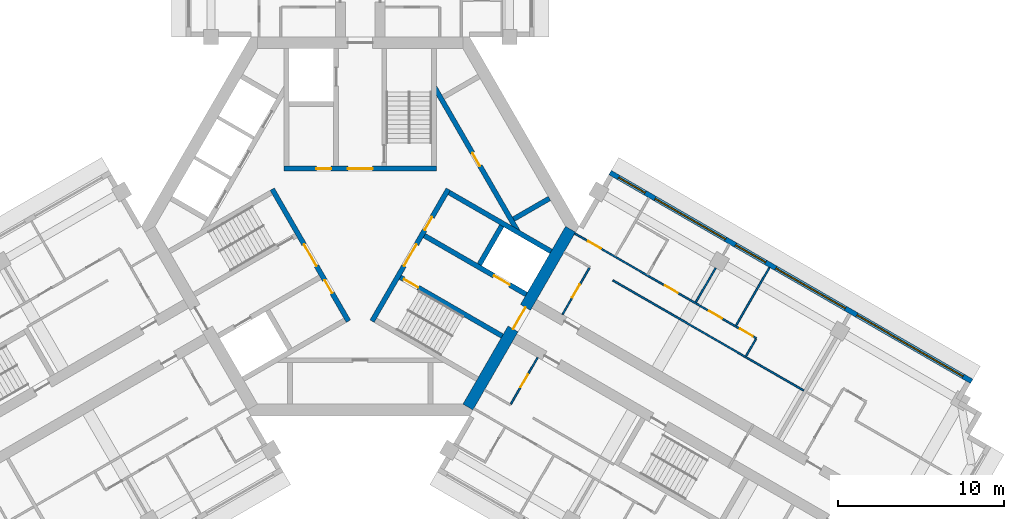
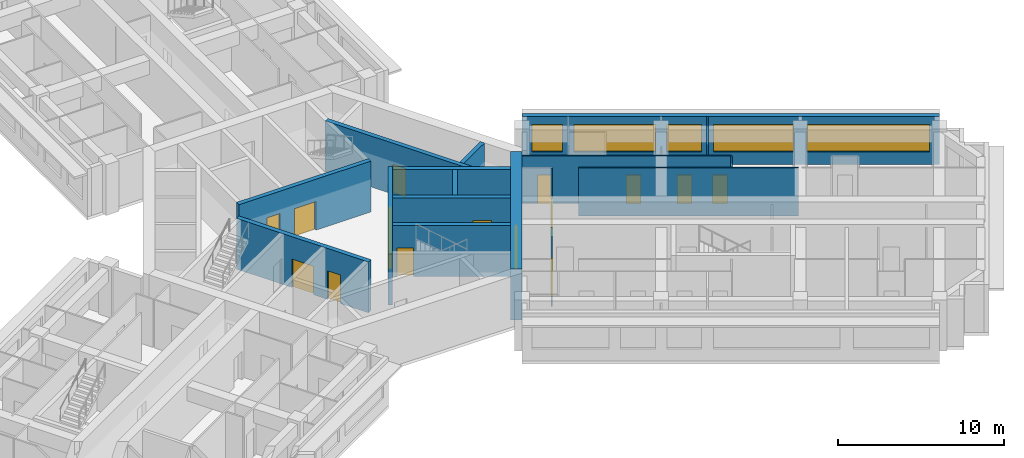
# One storey, part 6 of 11: 18 walls, 16 doors, 5 windows, 21 openings.
"""IFC4 building model written with IfcOpenShell, lengths in metres."""

from ifc_helpers import new_model, si_unit, direction, frame, frame_2d, origin, place, context, subcontext, project, spatial, rectangle, extrude, material, layer, layer_set, type_object, element, fill, save


model = new_model("IFC4")

# Units and contexts
model_context = context("Model", 3, precision=1e-05, world=origin(), true_north=direction((0.0, 1.0)))
body_context = subcontext(model_context, "Body", "Model", "MODEL_VIEW")
ifc_project = project(units=[si_unit("LENGTHUNIT", "METRE"), si_unit("AREAUNIT", "SQUARE_METRE"), si_unit("VOLUMEUNIT", "CUBIC_METRE"), si_unit("PLANEANGLEUNIT", "RADIAN"), si_unit("MASSUNIT", "GRAM", prefix="KILO")], contexts=[model_context])

# Site, building, storey
site_placement = place(None, origin())
site = spatial("IfcSite", under=ifc_project, at=site_placement, CompositionType="ELEMENT")
building_placement = place(site_placement, origin())
building = spatial("IfcBuilding", under=site, at=building_placement, Name="Impinga Residences", CompositionType="ELEMENT")
storey_placement = place(building_placement, frame((0.0, 0.0, 199.75)))
storey = spatial("IfcBuildingStorey", under=building, at=storey_placement, Name="L49", CompositionType="ELEMENT", Elevation=199.75)

# Wall, openings, windows
ifc_material_1 = material(Name="Terracotta rainscreen on blockwork", Category="masonry")
ifc_layer_1 = layer(ifc_material_1, 0.300048828125)
ifc_layer_set_1 = layer_set([ifc_layer_1], Name="EW1 external wall, terracotta rainscreen on blockwork 300")
wall_type_1 = type_object("IfcWallType", Name="EW1 external wall, terracotta rainscreen on blockwork 300", PredefinedType="SOLIDWALL", material=ifc_layer_set_1)
wall_1_placement = place(storey_placement, frame((15.074951171875, 3.24755859375, 0.0), z_axis=(0.0, 0.0, 1.0), x_axis=(0.86602925447, -0.499993330357, 0.0)))
wall_1 = element("IfcWall", 1, at=wall_1_placement, inside=storey, type_object=wall_type_1, Name="External wall EW1 L49", PredefinedType="SOLIDWALL", context=body_context, shape_type="SweptSolid", body=[
    extrude(rectangle(XDim=25.199951171875, YDim=0.300048828125, at=frame_2d((12.60009765625, 0.0))), origin(), (0.0, 0.0, 1.0), 3.530029296875),
])
opening_1_placement = place(wall_1_placement, frame((0.60009765625, 0.0, 0.89990234375)))
opening_1 = element("IfcOpeningElement", 2, at=opening_1_placement, cuts=wall_1, Name="Opening W15", PredefinedType="OPENING", context=body_context, shape_type="SweptSolid", body=[
    extrude(rectangle(XDim=1.85009765625, YDim=2.050048828125, at=frame_2d((0.925048828125, 1.02490234375))), frame((0.0, 0.159912109375, 0.0), z_axis=(0.0, -1.0, 0.0), x_axis=(1.0, 0.0, 0.0)), (0.0, 0.0, 1.0), 0.320068359375),
])
opening_2_placement = place(wall_1_placement, frame((3.14990234375, 0.0, 0.89990234375)))
opening_2 = element("IfcOpeningElement", 3, at=opening_2_placement, cuts=wall_1, Name="Opening W16", PredefinedType="OPENING", context=body_context, shape_type="SweptSolid", body=[
    extrude(rectangle(XDim=4.89990234375, YDim=2.050048828125, at=frame_2d((2.449951171875, 1.02490234375))), frame((0.0, 0.159912109375, 0.0), z_axis=(0.0, -1.0, 0.0), x_axis=(1.0, 0.0, 0.0)), (0.0, 0.0, 1.0), 0.320068359375),
])
opening_3_placement = place(wall_1_placement, frame((8.75, 0.0, 0.89990234375)))
opening_3 = element("IfcOpeningElement", 4, at=opening_3_placement, cuts=wall_1, Name="Opening W9", PredefinedType="OPENING", context=body_context, shape_type="SweptSolid", body=[
    extrude(rectangle(XDim=2.10009765625, YDim=2.050048828125, at=frame_2d((1.050048828125, 1.02490234375))), frame((0.0, 0.159912109375, 0.0), z_axis=(0.0, -1.0, 0.0), x_axis=(1.0, 0.0, 0.0)), (0.0, 0.0, 1.0), 0.320068359375),
])
opening_4_placement = place(wall_1_placement, frame((11.550048828125, 0.0, 0.89990234375)))
opening_4 = element("IfcOpeningElement", 5, at=opening_4_placement, cuts=wall_1, Name="Opening W6", PredefinedType="OPENING", context=body_context, shape_type="SweptSolid", body=[
    extrude(rectangle(XDim=4.85009765625, YDim=2.050048828125, at=frame_2d((2.425048828125, 1.02490234375))), frame((0.0, 0.159912109375, 0.0), z_axis=(0.0, -1.0, 0.0), x_axis=(1.0, 0.0, 0.0)), (0.0, 0.0, 1.0), 0.320068359375),
])
opening_5_placement = place(wall_1_placement, frame((17.199951171875, 0.0, 0.89990234375)))
opening_5 = element("IfcOpeningElement", 6, at=opening_5_placement, cuts=wall_1, Name="Opening W12", PredefinedType="OPENING", context=body_context, shape_type="SweptSolid", body=[
    extrude(rectangle(XDim=7.39990234375, YDim=2.050048828125, at=frame_2d((3.699951171875, 1.02490234375))), frame((0.0, 0.159912109375, 0.0), z_axis=(0.0, -1.0, 0.0), x_axis=(1.0, 0.0, 0.0)), (0.0, 0.0, 1.0), 0.320068359375),
])
ifc_material_2 = material(Name="Aluminium window, clear double glazing", Category="aluminium")
window_type_1 = type_object("IfcWindowType", Name="W12 ribbon window 7400x2050", PartitioningType="SINGLE_PANEL", PredefinedType="WINDOW", material=ifc_material_2)
window_1_placement = place(opening_5_placement, origin())
window_1 = element("IfcWindow", 7, at=window_1_placement, inside=storey, type_object=window_type_1, Name="Window L49", OverallHeight=2.050048828125, OverallWidth=7.39990234375, PartitioningType="SINGLE_PANEL", PredefinedType="WINDOW", context=body_context, shape_type="SweptSolid", body=[
    extrude(rectangle(XDim=7.39990234375, YDim=2.050048828125, at=frame_2d((3.699951171875, 1.02490234375))), frame((0.0, 0.030029296875, 0.0), z_axis=(0.0, -1.0, 0.0), x_axis=(1.0, 0.0, 0.0)), (0.0, 0.0, 1.0), 0.06005859375),
])
fill(opening_5, window_1)
window_type_2 = type_object("IfcWindowType", Name="W15 ribbon window 1850x2050", PartitioningType="SINGLE_PANEL", PredefinedType="WINDOW", material=ifc_material_2)
window_2_placement = place(opening_1_placement, origin())
window_2 = element("IfcWindow", 8, at=window_2_placement, inside=storey, type_object=window_type_2, Name="Window L49", OverallHeight=2.050048828125, OverallWidth=1.85009765625, PartitioningType="SINGLE_PANEL", PredefinedType="WINDOW", context=body_context, shape_type="SweptSolid", body=[
    extrude(rectangle(XDim=1.85009765625, YDim=2.050048828125, at=frame_2d((0.925048828125, 1.02490234375))), frame((0.0, 0.030029296875, 0.0), z_axis=(0.0, -1.0, 0.0), x_axis=(1.0, 0.0, 0.0)), (0.0, 0.0, 1.0), 0.06005859375),
])
fill(opening_1, window_2)
window_type_3 = type_object("IfcWindowType", Name="W16 ribbon window 4900x2050", PartitioningType="SINGLE_PANEL", PredefinedType="WINDOW", material=ifc_material_2)
window_3_placement = place(opening_2_placement, origin())
window_3 = element("IfcWindow", 9, at=window_3_placement, inside=storey, type_object=window_type_3, Name="Window L49", OverallHeight=2.050048828125, OverallWidth=4.89990234375, PartitioningType="SINGLE_PANEL", PredefinedType="WINDOW", context=body_context, shape_type="SweptSolid", body=[
    extrude(rectangle(XDim=4.89990234375, YDim=2.050048828125, at=frame_2d((2.449951171875, 1.02490234375))), frame((0.0, 0.030029296875, 0.0), z_axis=(0.0, -1.0, 0.0), x_axis=(1.0, 0.0, 0.0)), (0.0, 0.0, 1.0), 0.06005859375),
])
fill(opening_2, window_3)
window_type_4 = type_object("IfcWindowType", Name="W6 ribbon window 4850x2050", PartitioningType="SINGLE_PANEL", PredefinedType="WINDOW", material=ifc_material_2)
window_4_placement = place(opening_4_placement, origin())
window_4 = element("IfcWindow", 10, at=window_4_placement, inside=storey, type_object=window_type_4, Name="Window L49", OverallHeight=2.050048828125, OverallWidth=4.85009765625, PartitioningType="SINGLE_PANEL", PredefinedType="WINDOW", context=body_context, shape_type="SweptSolid", body=[
    extrude(rectangle(XDim=4.85009765625, YDim=2.050048828125, at=frame_2d((2.425048828125, 1.02490234375))), frame((0.0, 0.030029296875, 0.0), z_axis=(0.0, -1.0, 0.0), x_axis=(1.0, 0.0, 0.0)), (0.0, 0.0, 1.0), 0.06005859375),
])
fill(opening_4, window_4)
window_type_5 = type_object("IfcWindowType", Name="W9 ribbon window 2100x2050", PartitioningType="SINGLE_PANEL", PredefinedType="WINDOW", material=ifc_material_2)
window_5_placement = place(opening_3_placement, origin())
window_5 = element("IfcWindow", 11, at=window_5_placement, inside=storey, type_object=window_type_5, Name="Window L49", OverallHeight=2.050048828125, OverallWidth=2.10009765625, PartitioningType="SINGLE_PANEL", PredefinedType="WINDOW", context=body_context, shape_type="SweptSolid", body=[
    extrude(rectangle(XDim=2.10009765625, YDim=2.050048828125, at=frame_2d((1.050048828125, 1.02490234375))), frame((0.0, 0.030029296875, 0.0), z_axis=(0.0, -1.0, 0.0), x_axis=(1.0, 0.0, 0.0)), (0.0, 0.0, 1.0), 0.06005859375),
])
fill(opening_3, window_5)

# Wall
ifc_material_3 = material(Name="Gypsum board on steel studs", Category="steel")
ifc_layer_2 = layer(ifc_material_3, 0.10009765625)
ifc_layer_set_2 = layer_set([ifc_layer_2], Name="Gypsum board on steel studs")
wall_type_2 = type_object("IfcWallType", Name="IP1 partition 100", PredefinedType="PARTITIONING", material=ifc_layer_set_2)
wall_2_placement = place(storey_placement, frame((15.244384765625, -3.2587890625, 0.0), z_axis=(0.0, 0.0, 1.0), x_axis=(0.866023880463, -0.500002638461, 0.0)))
element("IfcWall", 12, at=wall_2_placement, inside=storey, type_object=wall_type_2, Name="Partition L49-EA1:DIV1", PredefinedType="PARTITIONING", context=body_context, shape_type="SweptSolid", body=[
    extrude(rectangle(XDim=13.30029296875, YDim=0.10009765625, at=frame_2d((6.650146484375, 0.0))), origin(), (0.0, 0.0, 1.0), 3.530029296875),
])

# Wall, openings, doors
wall_3_placement = place(storey_placement, frame((12.949951171875, -0.43310546875, 0.0), z_axis=(0.0, 0.0, 1.0), x_axis=(0.866029069366, -0.499993650972, 0.0)))
wall_3 = element("IfcWall", 13, at=wall_3_placement, inside=storey, type_object=wall_type_2, Name="Partition L49-EA1:STRIP", PredefinedType="PARTITIONING", context=body_context, shape_type="SweptSolid", body=[
    extrude(rectangle(XDim=12.650146484375, YDim=0.10009765625, at=frame_2d((6.3251953125, 0.0))), origin(), (0.0, 0.0, 1.0), 3.530029296875),
])
opening_6_placement = place(wall_3_placement, frame((0.925048828125, 0.0, 0.0)))
opening_6 = element("IfcOpeningElement", 14, at=opening_6_placement, cuts=wall_3, Name="Opening D2", PredefinedType="OPENING", context=body_context, shape_type="SweptSolid", body=[
    extrude(rectangle(XDim=0.89990234375, YDim=2.10009765625, at=frame_2d((0.449951171875, 1.050048828125))), frame((0.0, 0.06005859375, 0.0), z_axis=(0.0, -1.0, 0.0), x_axis=(1.0, 0.0, 0.0)), (0.0, 0.0, 1.0), 0.1201171875),
])
opening_7_placement = place(wall_3_placement, frame((6.27490234375, 0.0, 0.0)))
opening_7 = element("IfcOpeningElement", 15, at=opening_7_placement, cuts=wall_3, Name="Opening D2", PredefinedType="OPENING", context=body_context, shape_type="SweptSolid", body=[
    extrude(rectangle(XDim=0.89990234375, YDim=2.10009765625, at=frame_2d((0.449951171875, 1.050048828125))), frame((0.0, 0.06005859375, 0.0), z_axis=(0.0, -1.0, 0.0), x_axis=(1.0, 0.0, 0.0)), (0.0, 0.0, 1.0), 0.1201171875),
])
opening_8_placement = place(wall_3_placement, frame((9.35009765625, 0.0, 0.0)))
opening_8 = element("IfcOpeningElement", 16, at=opening_8_placement, cuts=wall_3, Name="Opening D2", PredefinedType="OPENING", context=body_context, shape_type="SweptSolid", body=[
    extrude(rectangle(XDim=0.89990234375, YDim=2.10009765625, at=frame_2d((0.449951171875, 1.050048828125))), frame((0.0, 0.06005859375, 0.0), z_axis=(0.0, -1.0, 0.0), x_axis=(1.0, 0.0, 0.0)), (0.0, 0.0, 1.0), 0.1201171875),
])
opening_9_placement = place(wall_3_placement, frame((11.5, 0.0, 0.0)))
opening_9 = element("IfcOpeningElement", 17, at=opening_9_placement, cuts=wall_3, Name="Opening D2", PredefinedType="OPENING", context=body_context, shape_type="SweptSolid", body=[
    extrude(rectangle(XDim=0.89990234375, YDim=2.10009765625, at=frame_2d((0.449951171875, 1.050048828125))), frame((0.0, 0.06005859375, 0.0), z_axis=(0.0, -1.0, 0.0), x_axis=(1.0, 0.0, 0.0)), (0.0, 0.0, 1.0), 0.1201171875),
])
ifc_material_4 = material(Name="Timber door set", Category="wood")
door_type_1 = type_object("IfcDoorType", Name="D2 internal door 900x2100", OperationType="SINGLE_SWING_LEFT", PredefinedType="DOOR", material=ifc_material_4)
door_1_placement = place(opening_6_placement, origin())
door_1 = element("IfcDoor", 18, at=door_1_placement, inside=storey, type_object=door_type_1, Name="Apartment L49-EA1 room door", OperationType="SINGLE_SWING_LEFT", OverallHeight=2.10009765625, OverallWidth=0.89990234375, PredefinedType="DOOR", context=body_context, shape_type="SweptSolid", body=[
    extrude(rectangle(XDim=0.89990234375, YDim=2.10009765625, at=frame_2d((0.449951171875, 1.050048828125))), frame((0.0, 0.02490234375, 0.0), z_axis=(0.0, -1.0, 0.0), x_axis=(1.0, 0.0, 0.0)), (0.0, 0.0, 1.0), 0.050048828125),
])
fill(opening_6, door_1)
door_2_placement = place(opening_7_placement, origin())
door_2 = element("IfcDoor", 19, at=door_2_placement, inside=storey, type_object=door_type_1, Name="Apartment L49-EA1 room door", OperationType="SINGLE_SWING_RIGHT", OverallHeight=2.10009765625, OverallWidth=0.89990234375, PredefinedType="DOOR", context=body_context, shape_type="SweptSolid", body=[
    extrude(rectangle(XDim=0.89990234375, YDim=2.10009765625, at=frame_2d((0.449951171875, 1.050048828125))), frame((0.0, 0.02490234375, 0.0), z_axis=(0.0, -1.0, 0.0), x_axis=(1.0, 0.0, 0.0)), (0.0, 0.0, 1.0), 0.050048828125),
])
fill(opening_7, door_2)
door_3_placement = place(opening_8_placement, origin())
door_3 = element("IfcDoor", 20, at=door_3_placement, inside=storey, type_object=door_type_1, Name="Apartment L49-EA1 room door", OperationType="SINGLE_SWING_RIGHT", OverallHeight=2.10009765625, OverallWidth=0.89990234375, PredefinedType="DOOR", context=body_context, shape_type="SweptSolid", body=[
    extrude(rectangle(XDim=0.89990234375, YDim=2.10009765625, at=frame_2d((0.449951171875, 1.050048828125))), frame((0.0, 0.02490234375, 0.0), z_axis=(0.0, -1.0, 0.0), x_axis=(1.0, 0.0, 0.0)), (0.0, 0.0, 1.0), 0.050048828125),
])
fill(opening_8, door_3)
door_4_placement = place(opening_9_placement, origin())
door_4 = element("IfcDoor", 21, at=door_4_placement, inside=storey, type_object=door_type_1, Name="Apartment L49-EA1 room door", OperationType="SINGLE_SWING_RIGHT", OverallHeight=2.10009765625, OverallWidth=0.89990234375, PredefinedType="DOOR", context=body_context, shape_type="SweptSolid", body=[
    extrude(rectangle(XDim=0.89990234375, YDim=2.10009765625, at=frame_2d((0.449951171875, 1.050048828125))), frame((0.0, 0.02490234375, 0.0), z_axis=(0.0, -1.0, 0.0), x_axis=(1.0, 0.0, 0.0)), (0.0, 0.0, 1.0), 0.050048828125),
])
fill(opening_9, door_4)

# Wall
wall_4_placement = place(storey_placement, frame((23.2802734375, -7.840576171875, 0.0), z_axis=(0.0, 0.0, 1.0), x_axis=(0.499880961361, 0.866094119867, 0.0)))
element("IfcWall", 22, at=wall_4_placement, inside=storey, type_object=wall_type_2, Name="Partition L49-EA1:SE1", PredefinedType="PARTITIONING", context=body_context, shape_type="SweptSolid", body=[
    extrude(rectangle(XDim=1.199951171875, YDim=0.10009765625, at=frame_2d((0.60009765625, 0.0))), origin(), (0.0, 0.0, 1.0), 3.530029296875),
])

# Wall, opening, door
wall_5_placement = place(storey_placement, frame((12.208740234375, -5.316650390625, 0.0), z_axis=(0.0, 0.0, 1.0), x_axis=(0.500017246033, 0.866015446554, 0.0)))
wall_5 = element("IfcWall", 23, at=wall_5_placement, inside=storey, type_object=wall_type_2, Name="Partition L49-EA1:IB1", PredefinedType="PARTITIONING", context=body_context, shape_type="SweptSolid", body=[
    extrude(rectangle(XDim=3.25, YDim=0.10009765625, at=frame_2d((1.625, 0.0))), origin(), (0.0, 0.0, 1.0), 3.530029296875),
])
opening_10_placement = place(wall_5_placement, frame((1.175048828125, 0.0, 0.0)))
opening_10 = element("IfcOpeningElement", 24, at=opening_10_placement, cuts=wall_5, Name="Opening D2", PredefinedType="OPENING", context=body_context, shape_type="SweptSolid", body=[
    extrude(rectangle(XDim=0.89990234375, YDim=2.10009765625, at=frame_2d((0.449951171875, 1.050048828125))), frame((0.0, 0.06005859375, 0.0), z_axis=(0.0, -1.0, 0.0), x_axis=(1.0, 0.0, 0.0)), (0.0, 0.0, 1.0), 0.1201171875),
])
door_5_placement = place(opening_10_placement, origin())
door_5 = element("IfcDoor", 25, at=door_5_placement, inside=storey, type_object=door_type_1, Name="Apartment L49-EA1 bathroom door", OperationType="SINGLE_SWING_LEFT", OverallHeight=2.10009765625, OverallWidth=0.89990234375, PredefinedType="DOOR", context=body_context, shape_type="SweptSolid", body=[
    extrude(rectangle(XDim=0.89990234375, YDim=2.10009765625, at=frame_2d((0.449951171875, 1.050048828125))), frame((0.0, 0.02490234375, 0.0), z_axis=(0.0, -1.0, 0.0), x_axis=(1.0, 0.0, 0.0)), (0.0, 0.0, 1.0), 0.050048828125),
])
fill(opening_10, door_5)

# Walls
wall_6_placement = place(storey_placement, frame((20.24951171875, -4.589599609375, 0.0), z_axis=(0.0, 0.0, 1.0), x_axis=(0.500077600433, 0.865980596518, 0.0)))
element("IfcWall", 26, at=wall_6_placement, inside=storey, type_object=wall_type_2, Name="Partition L49-EA1:OB2", PredefinedType="PARTITIONING", context=body_context, shape_type="SweptSolid", body=[
    extrude(rectangle(XDim=2.39990234375, YDim=0.10009765625, at=frame_2d((1.199951171875, 0.0))), origin(), (0.0, 0.0, 1.0), 2.47998046875),
])
wall_7_placement = place(storey_placement, frame((22.674560546875, -5.98974609375, 0.0), z_axis=(0.0, 0.0, 1.0), x_axis=(0.499990325971, 0.866030989016, 0.0)))
element("IfcWall", 27, at=wall_7_placement, inside=storey, type_object=wall_type_2, Name="Partition L49-EA1:OB3", PredefinedType="PARTITIONING", context=body_context, shape_type="SweptSolid", body=[
    extrude(rectangle(XDim=4.0498046875, YDim=0.10009765625, at=frame_2d((2.02490234375, 0.0))), origin(), (0.0, 0.0, 1.0), 3.530029296875),
])

# Wall, opening, door
wall_8_placement = place(storey_placement, frame((10.708740234375, -7.914794921875, 0.0), z_axis=(0.0, 0.0, 1.0), x_axis=(-0.499984717929, -0.866034226713, 0.0)))
wall_8 = element("IfcWall", 28, at=wall_8_placement, inside=storey, type_object=wall_type_2, Name="Partition L49-EF1:IB1", PredefinedType="PARTITIONING", context=body_context, shape_type="SweptSolid", body=[
    extrude(rectangle(XDim=3.25, YDim=0.10009765625, at=frame_2d((1.625, 0.0))), origin(), (0.0, 0.0, 1.0), 3.530029296875),
])
opening_11_placement = place(wall_8_placement, frame((1.175048828125, 0.0, 0.0)))
opening_11 = element("IfcOpeningElement", 29, at=opening_11_placement, cuts=wall_8, Name="Opening D2", PredefinedType="OPENING", context=body_context, shape_type="SweptSolid", body=[
    extrude(rectangle(XDim=0.89990234375, YDim=2.10009765625, at=frame_2d((0.449951171875, 1.050048828125))), frame((0.0, 0.06005859375, 0.0), z_axis=(0.0, -1.0, 0.0), x_axis=(1.0, 0.0, 0.0)), (0.0, 0.0, 1.0), 0.1201171875),
])
door_6_placement = place(opening_11_placement, origin())
door_6 = element("IfcDoor", 30, at=door_6_placement, inside=storey, type_object=door_type_1, Name="Apartment L49-EF1 bathroom door", OperationType="SINGLE_SWING_LEFT", OverallHeight=2.10009765625, OverallWidth=0.89990234375, PredefinedType="DOOR", context=body_context, shape_type="SweptSolid", body=[
    extrude(rectangle(XDim=0.89990234375, YDim=2.10009765625, at=frame_2d((0.449951171875, 1.050048828125))), frame((0.0, 0.02490234375, 0.0), z_axis=(0.0, -1.0, 0.0), x_axis=(1.0, 0.0, 0.0)), (0.0, 0.0, 1.0), 0.050048828125),
])
fill(opening_11, door_6)

ifc_material_5 = material(Name="Concrete C60/75", Category="concrete")
ifc_layer_3 = layer(ifc_material_5, 0.699951171875)
ifc_layer_set_3 = layer_set([ifc_layer_3], Name="Concrete C60/75")
wall_type_3 = type_object("IfcWallType", Name="SW3 core wall 700", PredefinedType="SHEAR", material=ifc_layer_set_3)
wall_9_placement = place(storey_placement, frame((12.69482421875, -0.175048828125, 0.0), z_axis=(0.0, 0.0, 1.0), x_axis=(-0.499999875397, -0.866025475724, 0.0)))
wall_9 = element("IfcWall", 31, at=wall_9_placement, inside=storey, type_object=wall_type_3, Name="Core wall SW3 E:FACE L49", PredefinedType="SHEAR", context=body_context, shape_type="SweptSolid", body=[
    extrude(rectangle(XDim=12.3916015625, YDim=0.699951171875, at=frame_2d((6.19580078125, 0.0))), origin(), (0.0, 0.0, 1.0), 3.75),
])
opening_12_placement = place(wall_9_placement, frame((5.44580078125, 0.0, 0.0)))
opening_12 = element("IfcOpeningElement", 32, at=opening_12_placement, cuts=wall_9, Name="Opening D4", PredefinedType="OPENING", context=body_context, shape_type="SweptSolid", body=[
    extrude(rectangle(XDim=1.5, YDim=2.10009765625, at=frame_2d((0.75, 1.050048828125))), frame((0.0, 0.35986328125, 0.0), z_axis=(0.0, -1.0, 0.0), x_axis=(1.0, 0.0, 0.0)), (0.0, 0.0, 1.0), 0.719970703125),
])
door_type_2 = type_object("IfcDoorType", Name="D4 lobby door pair 1500x2100", OperationType="DOUBLE_DOOR_DOUBLE_SWING", PredefinedType="DOOR", material=ifc_material_4)
door_7_placement = place(opening_12_placement, origin())
door_7 = element("IfcDoor", 33, at=door_7_placement, inside=storey, type_object=door_type_2, Name="Lobby door E", OperationType="DOUBLE_DOOR_DOUBLE_SWING", OverallHeight=2.10009765625, OverallWidth=1.5, PredefinedType="DOOR", context=body_context, shape_type="SweptSolid", body=[
    extrude(rectangle(XDim=1.5, YDim=2.10009765625, at=frame_2d((0.75, 1.050048828125))), frame((0.0, 0.02490234375, 0.0), z_axis=(0.0, -1.0, 0.0), x_axis=(1.0, 0.0, 0.0)), (0.0, 0.0, 1.0), 0.050048828125),
])
fill(opening_12, door_7)

# Wall, openings, doors
ifc_material_6 = material(Name="Concrete C70/85", Category="concrete")
ifc_layer_4 = layer(ifc_material_6, 0.300048828125)
ifc_layer_set_4 = layer_set([ifc_layer_4], Name="Concrete C70/85")
wall_type_4 = type_object("IfcWallType", Name="SW5 core inner wall, stairs, shafts and lobbies 300", PredefinedType="SHEAR", material=ifc_layer_set_4)
wall_10_placement = place(storey_placement, frame((-4.60009765625, 3.47998046875, 0.0), z_axis=(0.0, 0.0, 1.0), x_axis=(1.0, 0.0, 0.0)))
wall_10 = element("IfcWall", 34, at=wall_10_placement, inside=storey, type_object=wall_type_4, Name="Core wall SW5 N:ZONE L49", PredefinedType="SHEAR", context=body_context, shape_type="SweptSolid", body=[
    extrude(rectangle(XDim=9.2001953125, YDim=0.300048828125, at=frame_2d((4.60009765625, 0.0))), origin(), (0.0, 0.0, 1.0), 3.75),
])
opening_13_placement = place(wall_10_placement, frame((3.85009765625, 0.0, 0.0)))
opening_13 = element("IfcOpeningElement", 35, at=opening_13_placement, cuts=wall_10, Name="Opening D4", PredefinedType="OPENING", context=body_context, shape_type="SweptSolid", body=[
    extrude(rectangle(XDim=1.5, YDim=2.10009765625, at=frame_2d((0.75, 1.050048828125))), frame((0.0, 0.159912109375, 0.0), z_axis=(0.0, -1.0, 0.0), x_axis=(1.0, 0.0, 0.0)), (0.0, 0.0, 1.0), 0.320068359375),
])
opening_14_placement = place(wall_10_placement, frame((1.949951171875, 0.0, 0.0)))
opening_14 = element("IfcOpeningElement", 36, at=opening_14_placement, cuts=wall_10, Name="Opening D6", PredefinedType="OPENING", context=body_context, shape_type="SweptSolid", body=[
    extrude(rectangle(XDim=0.89990234375, YDim=2.10009765625, at=frame_2d((0.449951171875, 1.050048828125))), frame((0.0, 0.159912109375, 0.0), z_axis=(0.0, -1.0, 0.0), x_axis=(1.0, 0.0, 0.0)), (0.0, 0.0, 1.0), 0.320068359375),
])
door_8_placement = place(opening_13_placement, origin())
door_8 = element("IfcDoor", 37, at=door_8_placement, inside=storey, type_object=door_type_2, Name="Firefighting lobby door N", OperationType="DOUBLE_DOOR_DOUBLE_SWING", OverallHeight=2.10009765625, OverallWidth=1.5, PredefinedType="DOOR", context=body_context, shape_type="SweptSolid", body=[
    extrude(rectangle(XDim=1.5, YDim=2.10009765625, at=frame_2d((0.75, 1.050048828125))), frame((0.0, 0.02490234375, 0.0), z_axis=(0.0, -1.0, 0.0), x_axis=(1.0, 0.0, 0.0)), (0.0, 0.0, 1.0), 0.050048828125),
])
fill(opening_13, door_8)
door_type_3 = type_object("IfcDoorType", Name="D6 riser and store door 900x2100", OperationType="SINGLE_SWING_LEFT", PredefinedType="DOOR", material=ifc_material_4)
door_9_placement = place(opening_14_placement, origin())
door_9 = element("IfcDoor", 38, at=door_9_placement, inside=storey, type_object=door_type_3, Name="Riser door N", OperationType="SINGLE_SWING_LEFT", OverallHeight=2.10009765625, OverallWidth=0.89990234375, PredefinedType="DOOR", context=body_context, shape_type="SweptSolid", body=[
    extrude(rectangle(XDim=0.89990234375, YDim=2.10009765625, at=frame_2d((0.449951171875, 1.050048828125))), frame((0.0, 0.02490234375, 0.0), z_axis=(0.0, -1.0, 0.0), x_axis=(1.0, 0.0, 0.0)), (0.0, 0.0, 1.0), 0.050048828125),
])
fill(opening_14, door_9)

wall_11_placement = place(storey_placement, frame((-0.7138671875, -5.7236328125, 0.0), z_axis=(0.0, 0.0, 1.0), x_axis=(-0.499995050369, 0.866028261437, 0.0)))
wall_11 = element("IfcWall", 39, at=wall_11_placement, inside=storey, type_object=wall_type_4, Name="Core wall SW5 W:ZONE L49", PredefinedType="SHEAR", context=body_context, shape_type="SweptSolid", body=[
    extrude(rectangle(XDim=9.19970703125, YDim=0.300048828125, at=frame_2d((4.599853515625, 0.0))), origin(), (0.0, 0.0, 1.0), 3.75),
])
opening_15_placement = place(wall_11_placement, frame((3.85009765625, 0.0, 0.0)))
opening_15 = element("IfcOpeningElement", 40, at=opening_15_placement, cuts=wall_11, Name="Opening D4", PredefinedType="OPENING", context=body_context, shape_type="SweptSolid", body=[
    extrude(rectangle(XDim=1.5, YDim=2.10009765625, at=frame_2d((0.75, 1.050048828125))), frame((0.0, 0.159912109375, 0.0), z_axis=(0.0, -1.0, 0.0), x_axis=(1.0, 0.0, 0.0)), (0.0, 0.0, 1.0), 0.320068359375),
])
opening_16_placement = place(wall_11_placement, frame((1.949951171875, 0.0, 0.0)))
opening_16 = element("IfcOpeningElement", 41, at=opening_16_placement, cuts=wall_11, Name="Opening D6", PredefinedType="OPENING", context=body_context, shape_type="SweptSolid", body=[
    extrude(rectangle(XDim=0.89990234375, YDim=2.10009765625, at=frame_2d((0.449951171875, 1.050048828125))), frame((0.0, 0.159912109375, 0.0), z_axis=(0.0, -1.0, 0.0), x_axis=(1.0, 0.0, 0.0)), (0.0, 0.0, 1.0), 0.320068359375),
])
door_10_placement = place(opening_15_placement, origin())
door_10 = element("IfcDoor", 42, at=door_10_placement, inside=storey, type_object=door_type_2, Name="Firefighting lobby door W", OperationType="DOUBLE_DOOR_DOUBLE_SWING", OverallHeight=2.10009765625, OverallWidth=1.5, PredefinedType="DOOR", context=body_context, shape_type="SweptSolid", body=[
    extrude(rectangle(XDim=1.5, YDim=2.10009765625, at=frame_2d((0.75, 1.050048828125))), frame((0.0, 0.02490234375, 0.0), z_axis=(0.0, -1.0, 0.0), x_axis=(1.0, 0.0, 0.0)), (0.0, 0.0, 1.0), 0.050048828125),
])
fill(opening_15, door_10)
door_11_placement = place(opening_16_placement, origin())
door_11 = element("IfcDoor", 43, at=door_11_placement, inside=storey, type_object=door_type_3, Name="Riser door W", OperationType="SINGLE_SWING_LEFT", OverallHeight=2.10009765625, OverallWidth=0.89990234375, PredefinedType="DOOR", context=body_context, shape_type="SweptSolid", body=[
    extrude(rectangle(XDim=0.89990234375, YDim=2.10009765625, at=frame_2d((0.449951171875, 1.050048828125))), frame((0.0, 0.02490234375, 0.0), z_axis=(0.0, -1.0, 0.0), x_axis=(1.0, 0.0, 0.0)), (0.0, 0.0, 1.0), 0.050048828125),
])
fill(opening_16, door_11)

wall_12_placement = place(storey_placement, frame((5.313720703125, 2.24365234375, 0.0), z_axis=(0.0, 0.0, 1.0), x_axis=(-0.499995050369, -0.866028261437, 0.0)))
wall_12 = element("IfcWall", 44, at=wall_12_placement, inside=storey, type_object=wall_type_4, Name="Core wall SW5 E:ZONE L49", PredefinedType="SHEAR", context=body_context, shape_type="SweptSolid", body=[
    extrude(rectangle(XDim=9.19970703125, YDim=0.300048828125, at=frame_2d((4.599853515625, 0.0))), origin(), (0.0, 0.0, 1.0), 3.75),
])
opening_17_placement = place(wall_12_placement, frame((3.85009765625, 0.0, 0.0)))
opening_17 = element("IfcOpeningElement", 45, at=opening_17_placement, cuts=wall_12, Name="Opening D4", PredefinedType="OPENING", context=body_context, shape_type="SweptSolid", body=[
    extrude(rectangle(XDim=1.5, YDim=2.10009765625, at=frame_2d((0.75, 1.050048828125))), frame((0.0, 0.159912109375, 0.0), z_axis=(0.0, -1.0, 0.0), x_axis=(1.0, 0.0, 0.0)), (0.0, 0.0, 1.0), 0.320068359375),
])
opening_18_placement = place(wall_12_placement, frame((1.949951171875, 0.0, 0.0)))
opening_18 = element("IfcOpeningElement", 46, at=opening_18_placement, cuts=wall_12, Name="Opening D6", PredefinedType="OPENING", context=body_context, shape_type="SweptSolid", body=[
    extrude(rectangle(XDim=0.89990234375, YDim=2.10009765625, at=frame_2d((0.449951171875, 1.050048828125))), frame((0.0, 0.159912109375, 0.0), z_axis=(0.0, -1.0, 0.0), x_axis=(1.0, 0.0, 0.0)), (0.0, 0.0, 1.0), 0.320068359375),
])
door_12_placement = place(opening_17_placement, origin())
door_12 = element("IfcDoor", 47, at=door_12_placement, inside=storey, type_object=door_type_2, Name="Firefighting lobby door E", OperationType="DOUBLE_DOOR_DOUBLE_SWING", OverallHeight=2.10009765625, OverallWidth=1.5, PredefinedType="DOOR", context=body_context, shape_type="SweptSolid", body=[
    extrude(rectangle(XDim=1.5, YDim=2.10009765625, at=frame_2d((0.75, 1.050048828125))), frame((0.0, 0.02490234375, 0.0), z_axis=(0.0, -1.0, 0.0), x_axis=(1.0, 0.0, 0.0)), (0.0, 0.0, 1.0), 0.050048828125),
])
fill(opening_17, door_12)
door_13_placement = place(opening_18_placement, origin())
door_13 = element("IfcDoor", 48, at=door_13_placement, inside=storey, type_object=door_type_3, Name="Riser door E", OperationType="SINGLE_SWING_LEFT", OverallHeight=2.10009765625, OverallWidth=0.89990234375, PredefinedType="DOOR", context=body_context, shape_type="SweptSolid", body=[
    extrude(rectangle(XDim=0.89990234375, YDim=2.10009765625, at=frame_2d((0.449951171875, 1.050048828125))), frame((0.0, 0.02490234375, 0.0), z_axis=(0.0, -1.0, 0.0), x_axis=(1.0, 0.0, 0.0)), (0.0, 0.0, 1.0), 0.050048828125),
])
fill(opening_18, door_13)

# Wall, opening, door
wall_13_placement = place(storey_placement, frame((2.418701171875, -3.07080078125, 0.0), z_axis=(0.0, 0.0, 1.0), x_axis=(0.866025859768, -0.499999210213, 0.0)))
wall_13 = element("IfcWall", 49, at=wall_13_placement, inside=storey, type_object=wall_type_4, Name="Core wall SW5 E:ST-IN L49", PredefinedType="SHEAR", context=body_context, shape_type="SweptSolid", body=[
    extrude(rectangle(XDim=7.1015625, YDim=0.300048828125, at=frame_2d((3.55078125, 0.0))), origin(), (0.0, 0.0, 1.0), 3.75),
])
opening_19_placement = place(wall_13_placement, frame((0.25, 0.0, 0.0)))
opening_19 = element("IfcOpeningElement", 50, at=opening_19_placement, cuts=wall_13, Name="Opening D5", PredefinedType="OPENING", context=body_context, shape_type="SweptSolid", body=[
    extrude(rectangle(XDim=1.0, YDim=2.10009765625, at=frame_2d((0.5, 1.050048828125))), frame((0.0, 0.159912109375, 0.0), z_axis=(0.0, -1.0, 0.0), x_axis=(1.0, 0.0, 0.0)), (0.0, 0.0, 1.0), 0.320068359375),
])
door_type_4 = type_object("IfcDoorType", Name="D5 stair door 1000x2100", OperationType="SINGLE_SWING_LEFT", PredefinedType="DOOR", material=ifc_material_4)
door_14_placement = place(opening_19_placement, origin())
door_14 = element("IfcDoor", 51, at=door_14_placement, inside=storey, type_object=door_type_4, Name="Stair door E", OperationType="SINGLE_SWING_LEFT", OverallHeight=2.10009765625, OverallWidth=1.0, PredefinedType="DOOR", context=body_context, shape_type="SweptSolid", body=[
    extrude(rectangle(XDim=1.0, YDim=2.10009765625, at=frame_2d((0.5, 1.050048828125))), frame((0.0, 0.02490234375, 0.0), z_axis=(0.0, -1.0, 0.0), x_axis=(1.0, 0.0, 0.0)), (0.0, 0.0, 1.0), 0.050048828125),
])
fill(opening_19, door_14)

wall_14_placement = place(storey_placement, frame((3.86865234375, -0.559326171875, 0.0), z_axis=(0.0, 0.0, 1.0), x_axis=(0.866025859768, -0.499999210213, 0.0)))
wall_14 = element("IfcWall", 52, at=wall_14_placement, inside=storey, type_object=wall_type_4, Name="Core wall SW5 E:FF-IN L49", PredefinedType="SHEAR", context=body_context, shape_type="SweptSolid", body=[
    extrude(rectangle(XDim=7.1015625, YDim=0.300048828125, at=frame_2d((3.55078125, 0.0))), origin(), (0.0, 0.0, 1.0), 3.75),
])
opening_20_placement = place(wall_14_placement, frame((4.85009765625, 0.0, 0.0)))
opening_20 = element("IfcOpeningElement", 53, at=opening_20_placement, cuts=wall_14, Name="Opening LD2", PredefinedType="OPENING", context=body_context, shape_type="SweptSolid", body=[
    extrude(rectangle(XDim=1.10009765625, YDim=2.10009765625, at=frame_2d((0.550048828125, 1.050048828125))), frame((0.0, 0.159912109375, 0.0), z_axis=(0.0, -1.0, 0.0), x_axis=(1.0, 0.0, 0.0)), (0.0, 0.0, 1.0), 0.320068359375),
])
ifc_material_7 = material(Name="Steel lift landing door", Category="steel")
door_type_5 = type_object("IfcDoorType", Name="LD2 firefighting lift landing door 1100x2100", OperationType="DOUBLE_DOOR_SLIDING", PredefinedType="DOOR", material=ifc_material_7)
door_15_placement = place(opening_20_placement, origin())
door_15 = element("IfcDoor", 54, at=door_15_placement, inside=storey, type_object=door_type_5, Name="Firefighting lift landing door F3", OperationType="DOUBLE_DOOR_SLIDING", OverallHeight=2.10009765625, OverallWidth=1.10009765625, PredefinedType="DOOR", context=body_context, shape_type="SweptSolid", body=[
    extrude(rectangle(XDim=1.10009765625, YDim=2.10009765625, at=frame_2d((0.550048828125, 1.050048828125))), frame((0.0, 0.02490234375, 0.0), z_axis=(0.0, -1.0, 0.0), x_axis=(1.0, 0.0, 0.0)), (0.0, 0.0, 1.0), 0.050048828125),
])
fill(opening_20, door_15)

# Walls
wall_15_placement = place(storey_placement, frame((5.36865234375, 2.038818359375, 0.0), z_axis=(0.0, 0.0, 1.0), x_axis=(0.866025859768, -0.499999210213, 0.0)))
element("IfcWall", 55, at=wall_15_placement, inside=storey, type_object=wall_type_4, Name="Core wall SW5 E:FF-OUT L49", PredefinedType="SHEAR", context=body_context, shape_type="SweptSolid", body=[
    extrude(rectangle(XDim=7.1015625, YDim=0.300048828125, at=frame_2d((3.55078125, 0.0))), origin(), (0.0, 0.0, 1.0), 3.75),
])
wall_16_placement = place(storey_placement, frame((8.541259765625, 0.033935546875, 0.0), z_axis=(0.0, 0.0, 1.0), x_axis=(-0.50000943426, -0.866019956843, 0.0)))
element("IfcWall", 56, at=wall_16_placement, inside=storey, type_object=wall_type_4, Name="Core wall SW5 E:FF-RS L49", PredefinedType="SHEAR", context=body_context, shape_type="SweptSolid", body=[
    extrude(rectangle(XDim=2.7001953125, YDim=0.300048828125, at=frame_2d((1.35009765625, 0.0))), origin(), (0.0, 0.0, 1.0), 3.75),
])

# Wall, opening, door
wall_17_placement = place(storey_placement, frame((4.449951171875, 8.455322265625, 0.0), z_axis=(0.0, 0.0, 1.0), x_axis=(0.500002290144, -0.866024081565, 0.0)))
wall_17 = element("IfcWall", 57, at=wall_17_placement, inside=storey, type_object=wall_type_4, Name="Core wall SW5 W:BANK-FRONT L49", PredefinedType="SHEAR", context=body_context, shape_type="SweptSolid", body=[
    extrude(rectangle(XDim=10.1953125, YDim=0.300048828125, at=frame_2d((5.09765625, 0.0))), origin(), (0.0, 0.0, 1.0), 3.75),
])
opening_21_placement = place(wall_17_placement, frame((4.647705078125, 0.0, 0.0)))
opening_21 = element("IfcOpeningElement", 58, at=opening_21_placement, cuts=wall_17, Name="Opening D6", PredefinedType="OPENING", context=body_context, shape_type="SweptSolid", body=[
    extrude(rectangle(XDim=0.89990234375, YDim=2.10009765625, at=frame_2d((0.449951171875, 1.050048828125))), frame((0.0, 0.159912109375, 0.0), z_axis=(0.0, -1.0, 0.0), x_axis=(1.0, 0.0, 0.0)), (0.0, 0.0, 1.0), 0.320068359375),
])
door_16_placement = place(opening_21_placement, origin())
door_16 = element("IfcDoor", 59, at=door_16_placement, inside=storey, type_object=door_type_3, Name="Residents' parcel room door", OperationType="SINGLE_SWING_RIGHT", OverallHeight=2.10009765625, OverallWidth=0.89990234375, PredefinedType="DOOR", context=body_context, shape_type="SweptSolid", body=[
    extrude(rectangle(XDim=0.89990234375, YDim=2.10009765625, at=frame_2d((0.449951171875, 1.050048828125))), frame((0.0, 0.02490234375, 0.0), z_axis=(0.0, -1.0, 0.0), x_axis=(1.0, 0.0, 0.0)), (0.0, 0.0, 1.0), 0.050048828125),
])
fill(opening_21, door_16)

# Wall
wall_18_placement = place(storey_placement, frame((9.253662109375, 0.43505859375, 0.0), z_axis=(0.0, 0.0, 1.0), x_axis=(0.866022959057, 0.500004234368, 0.0)))
element("IfcWall", 60, at=wall_18_placement, inside=storey, type_object=wall_type_4, Name="Core wall SW5 W:BANK-R L49", PredefinedType="SHEAR", context=body_context, shape_type="SweptSolid", body=[
    extrude(rectangle(XDim=2.5, YDim=0.300048828125, at=frame_2d((1.25, 0.0))), origin(), (0.0, 0.0, 1.0), 3.75),
])

save(model, "model.ifc")
